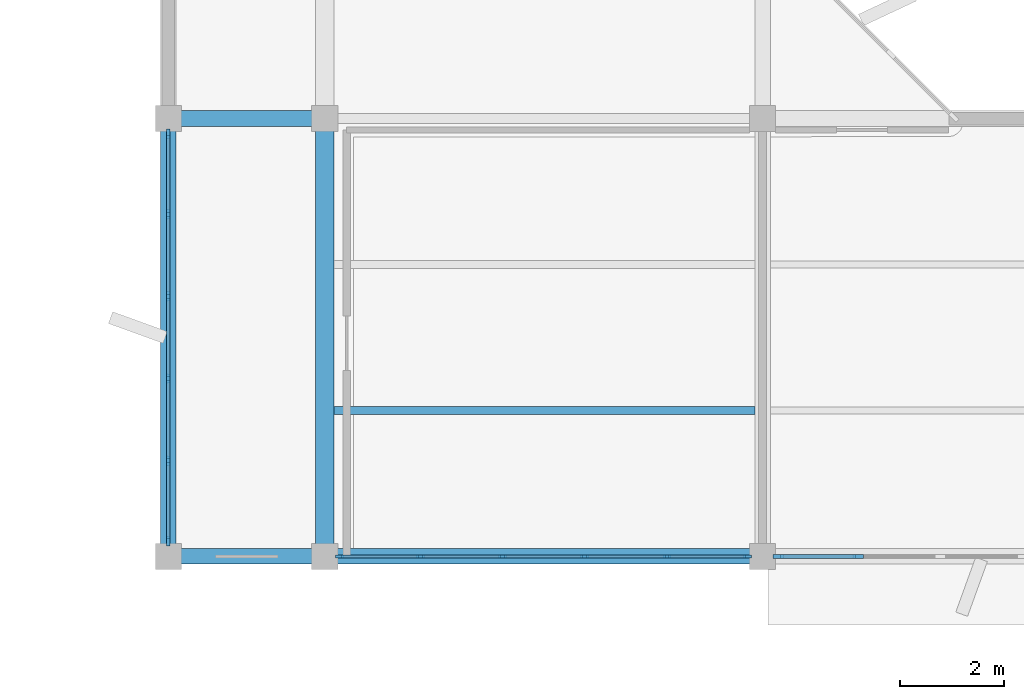
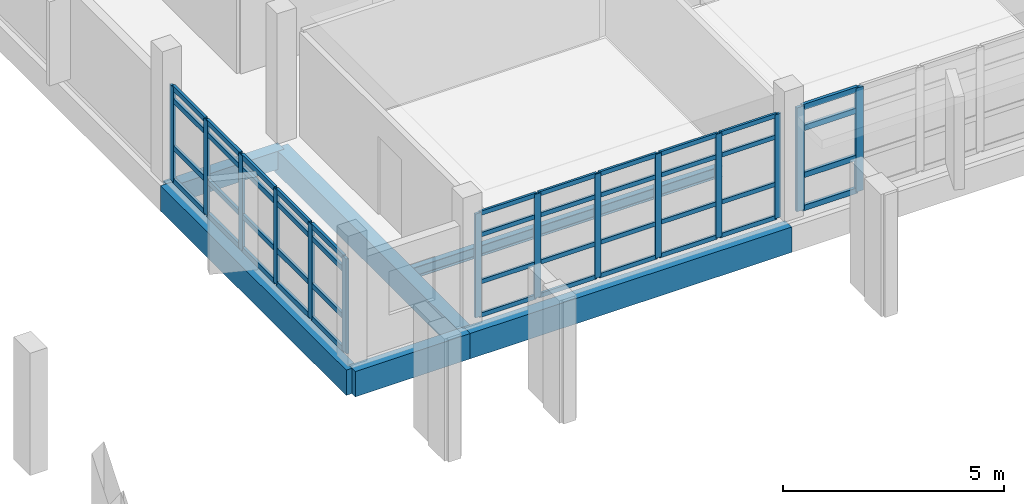
# One storey, part 15 of 104: 58 members, 6 beams, 3 elements without a shape of their own.
"""IFC4 building model written with IfcOpenShell, lengths in metres."""

from ifc_helpers import new_model, si_unit, direction, frame, origin, origin_2d, place, context, subcontext, project, spatial, rectangle, i_section, extrude, material, material_profile, profile_set, type_object, element, aggregate, save


model = new_model("IFC4")

# Units and contexts
model_context = context("Model", 3, precision=1e-05, world=origin(), true_north=direction((0.0, 1.0)))
body_context = subcontext(model_context, "Body", "Model", "MODEL_VIEW")
ifc_project = project(units=[si_unit("LENGTHUNIT", "METRE"), si_unit("AREAUNIT", "SQUARE_METRE"), si_unit("VOLUMEUNIT", "CUBIC_METRE"), si_unit("PLANEANGLEUNIT", "RADIAN"), si_unit("MASSUNIT", "GRAM", prefix="KILO")], contexts=[model_context])

# Site, building, storey
site_placement = place(None, origin())
site = spatial("IfcSite", under=ifc_project, at=site_placement, CompositionType="ELEMENT")
building_placement = place(site_placement, origin())
building = spatial("IfcBuilding", under=site, at=building_placement, Name="Vanh Quang Courtyard School", CompositionType="ELEMENT")
storey_placement = place(building_placement, frame((0.0, 0.0, 4.199951171875)))
storey = spatial("IfcBuildingStorey", under=building, at=storey_placement, Name="L01", CompositionType="ELEMENT", Elevation=4.199951171875)

# Beams
ifc_material_1 = material(Name="Concrete C35/45", Category="concrete")
ifc_material_profile_1 = material_profile(ifc_material_1, rectangle(XDim=0.300048828125, YDim=0.5, at=origin_2d()), Name="RC-BM 300x500")
ifc_profile_set_1 = profile_set([ifc_material_profile_1], Name="Concrete C35/45")
beam_type_1 = type_object("IfcBeamType", Name="BM-RC-300x500", PredefinedType="BEAM", material=ifc_profile_set_1)
beam_1_placement = place(storey_placement, frame((74.39990234375, 12.60009765625, -0.530029296875), z_axis=(1.0, 0.0, 0.0), x_axis=(0.0, 1.0, 0.0)))
element("IfcBeam", 1, at=beam_1_placement, inside=storey, type_object=beam_type_1, Name="Beam B-08 (L01)", PredefinedType="BEAM", context=body_context, shape_type="SweptSolid", body=[
    extrude(rectangle(XDim=0.300048828125, YDim=0.5, at=origin_2d()), origin(), (0.0, 0.0, 1.0), 3.0),
])
ifc_material_profile_2 = material_profile(ifc_material_1, rectangle(XDim=0.35009765625, YDim=0.64990234375, at=origin_2d()), Name="RC-BM 350x650")
ifc_profile_set_2 = profile_set([ifc_material_profile_2], Name="Concrete C35/45")
beam_type_2 = type_object("IfcBeamType", Name="BM-RC-350x650", PredefinedType="BEAM", material=ifc_profile_set_2)
beam_2_placement = place(storey_placement, frame((77.39990234375, 4.199951171875, -0.60498046875), z_axis=(0.0, 1.0, 0.0), x_axis=(-1.0, 0.0, 0.0)))
element("IfcBeam", 2, at=beam_2_placement, inside=storey, type_object=beam_type_2, Name="Beam B-05 (L01)", PredefinedType="BEAM", context=body_context, shape_type="SweptSolid", body=[
    extrude(rectangle(XDim=0.35009765625, YDim=0.64990234375, at=origin_2d()), origin(), (0.0, 0.0, 1.0), 8.400146484375),
])
ifc_material_profile_3 = material_profile(ifc_material_1, rectangle(XDim=0.300048828125, YDim=0.699951171875, at=origin_2d()), Name="RC-SP 300x700")
ifc_profile_set_3 = profile_set([ifc_material_profile_3], Name="Concrete C35/45")
beam_type_3 = type_object("IfcBeamType", Name="BM-SP-300x700", PredefinedType="SPANDREL", material=ifc_profile_set_3)
beam_3_placement = place(storey_placement, frame((74.39990234375, 4.199951171875, -0.6298828125), z_axis=(1.0, 0.0, 0.0), x_axis=(0.0, 1.0, 0.0)))
element("IfcBeam", 3, at=beam_3_placement, inside=storey, type_object=beam_type_3, Name="Beam BS-01 (L01)", PredefinedType="SPANDREL", context=body_context, shape_type="SweptSolid", body=[
    extrude(rectangle(XDim=0.300048828125, YDim=0.699951171875, at=origin_2d()), origin(), (0.0, 0.0, 1.0), 3.0),
])
for number, where, z_axis, x_axis, name in (
    (4, (77.39990234375, 4.199951171875, -0.6298828125), (1.0, 0.0, 0.0), (0.0, 1.0, 0.0), "Beam BS-01 (L01)"),
    (5, (74.39990234375, 4.199951171875, -0.6298828125), (0.0, 1.0, 0.0), (-1.0, 0.0, 0.0), "Beam BS-01 (L01)"),
):
    element("IfcBeam", number, at=place(storey_placement, frame(where, z_axis=z_axis, x_axis=x_axis)), inside=storey, type_object=beam_type_3, Name=name, PredefinedType="SPANDREL", context=body_context, shape_type="SweptSolid", body=[
        extrude(rectangle(XDim=0.300048828125, YDim=0.699951171875, at=origin_2d()), origin(), (0.0, 0.0, 1.0), 8.400146484375),
    ])

# Curtain wall, members
ifc_material_2 = material(Name="Thermally broken aluminium unitised curtain wall", Category="aluminium")
curtain_wall_type_1 = type_object("IfcCurtainWallType", Name="CW-SYS-29", PredefinedType="NOTDEFINED", material=ifc_material_2)
curtain_wall_1_placement = place(storey_placement, origin())
curtain_wall_1 = element("IfcCurtainWall", 6, at=curtain_wall_1_placement, inside=storey, type_object=curtain_wall_type_1, Name="Curtain Wall CW-29 (L01)", PredefinedType="NOTDEFINED")
ifc_material_3 = material(Name="Anodised aluminium 6063-T6", Category="aluminium")
ifc_material_profile_4 = material_profile(ifc_material_3, rectangle(XDim=0.06005859375, YDim=0.159912109375, at=origin_2d()), Name="ALU-MUL 60x160")
ifc_profile_set_4 = profile_set([ifc_material_profile_4], Name="Anodised aluminium 6063-T6")
member_type_1 = type_object("IfcMemberType", Name="CW-MUL-60x160", PredefinedType="MULLION", material=ifc_profile_set_4)
member_1_placement = place(storey_placement, frame((85.511962890625, 4.199951171875, 0.0), z_axis=(0.0, 0.0, 1.0), x_axis=(0.0, -1.0, 0.0)))
member_1 = element("IfcMember", 7, at=member_1_placement, type_object=member_type_1, Name="CW-29 mullion 1", PredefinedType="MULLION", context=body_context, shape_type="SweptSolid", body=[
    extrude(rectangle(XDim=0.06005859375, YDim=0.159912109375, at=origin_2d()), origin(), (0.0, 0.0, 1.0), 2.8701171875),
])
member_2_placement = place(storey_placement, frame((83.965087890625, 4.199951171875, 0.0), z_axis=(0.0, 0.0, 1.0), x_axis=(0.0, -1.0, 0.0)))
member_2 = element("IfcMember", 8, at=member_2_placement, type_object=member_type_1, Name="CW-29 mullion 2", PredefinedType="MULLION", context=body_context, shape_type="SweptSolid", body=[
    extrude(rectangle(XDim=0.06005859375, YDim=0.159912109375, at=origin_2d()), origin(), (0.0, 0.0, 1.0), 2.8701171875),
])
member_3_placement = place(storey_placement, frame((82.388427734375, 4.199951171875, 0.0), z_axis=(0.0, 0.0, 1.0), x_axis=(0.0, -1.0, 0.0)))
member_3 = element("IfcMember", 9, at=member_3_placement, type_object=member_type_1, Name="CW-29 mullion 3", PredefinedType="MULLION", context=body_context, shape_type="SweptSolid", body=[
    extrude(rectangle(XDim=0.06005859375, YDim=0.159912109375, at=origin_2d()), origin(), (0.0, 0.0, 1.0), 2.8701171875),
])
member_4_placement = place(storey_placement, frame((80.8115234375, 4.199951171875, 0.0), z_axis=(0.0, 0.0, 1.0), x_axis=(0.0, -1.0, 0.0)))
member_4 = element("IfcMember", 10, at=member_4_placement, type_object=member_type_1, Name="CW-29 mullion 4", PredefinedType="MULLION", context=body_context, shape_type="SweptSolid", body=[
    extrude(rectangle(XDim=0.06005859375, YDim=0.159912109375, at=origin_2d()), origin(), (0.0, 0.0, 1.0), 2.8701171875),
])
member_5_placement = place(storey_placement, frame((79.23486328125, 4.199951171875, 0.0), z_axis=(0.0, 0.0, 1.0), x_axis=(0.0, -1.0, 0.0)))
member_5 = element("IfcMember", 11, at=member_5_placement, type_object=member_type_1, Name="CW-29 mullion 5", PredefinedType="MULLION", context=body_context, shape_type="SweptSolid", body=[
    extrude(rectangle(XDim=0.06005859375, YDim=0.159912109375, at=origin_2d()), origin(), (0.0, 0.0, 1.0), 2.8701171875),
])
member_6_placement = place(storey_placement, frame((77.68798828125, 4.199951171875, 0.0), z_axis=(0.0, 0.0, 1.0), x_axis=(0.0, -1.0, 0.0)))
member_6 = element("IfcMember", 12, at=member_6_placement, type_object=member_type_1, Name="CW-29 mullion 6", PredefinedType="MULLION", context=body_context, shape_type="SweptSolid", body=[
    extrude(rectangle(XDim=0.06005859375, YDim=0.159912109375, at=origin_2d()), origin(), (0.0, 0.0, 1.0), 2.8701171875),
])

curtain_wall_type_2 = type_object("IfcCurtainWallType", Name="CW-SYS-19", PredefinedType="NOTDEFINED", material=ifc_material_2)
curtain_wall_2_placement = place(storey_placement, origin())
curtain_wall_2 = element("IfcCurtainWall", 13, at=curtain_wall_2_placement, inside=storey, type_object=curtain_wall_type_2, Name="Curtain Wall CW-19 (L01)", PredefinedType="NOTDEFINED")
ifc_material_profile_5 = material_profile(ifc_material_3, rectangle(XDim=0.070068359375, YDim=0.179931640625, at=origin_2d()), Name="ALU-MUL 70x180")
ifc_profile_set_5 = profile_set([ifc_material_profile_5], Name="Anodised aluminium 6063-T6")
member_type_2 = type_object("IfcMemberType", Name="CW-MUL-70x180", PredefinedType="MULLION", material=ifc_profile_set_5)
member_7_placement = place(storey_placement, frame((74.39990234375, 4.492919921875, 0.0), z_axis=(0.0, 0.0, 1.0), x_axis=(-1.0, 0.0, 0.0)))
member_7 = element("IfcMember", 14, at=member_7_placement, type_object=member_type_2, Name="CW-19 mullion 1", PredefinedType="MULLION", context=body_context, shape_type="SweptSolid", body=[
    extrude(rectangle(XDim=0.070068359375, YDim=0.179931640625, at=origin_2d()), origin(), (0.0, 0.0, 1.0), 2.6201171875),
])
member_8_placement = place(storey_placement, frame((74.39990234375, 6.034912109375, 0.0), z_axis=(0.0, 0.0, 1.0), x_axis=(-1.0, 0.0, 0.0)))
member_8 = element("IfcMember", 15, at=member_8_placement, type_object=member_type_2, Name="CW-19 mullion 2", PredefinedType="MULLION", context=body_context, shape_type="SweptSolid", body=[
    extrude(rectangle(XDim=0.070068359375, YDim=0.179931640625, at=origin_2d()), origin(), (0.0, 0.0, 1.0), 2.6201171875),
])
member_9_placement = place(storey_placement, frame((74.39990234375, 7.611572265625, 0.0), z_axis=(0.0, 0.0, 1.0), x_axis=(-1.0, 0.0, 0.0)))
member_9 = element("IfcMember", 16, at=member_9_placement, type_object=member_type_2, Name="CW-19 mullion 3", PredefinedType="MULLION", context=body_context, shape_type="SweptSolid", body=[
    extrude(rectangle(XDim=0.070068359375, YDim=0.179931640625, at=origin_2d()), origin(), (0.0, 0.0, 1.0), 2.6201171875),
])
member_10_placement = place(storey_placement, frame((74.39990234375, 9.1884765625, 0.0), z_axis=(0.0, 0.0, 1.0), x_axis=(-1.0, 0.0, 0.0)))
member_10 = element("IfcMember", 17, at=member_10_placement, type_object=member_type_2, Name="CW-19 mullion 4", PredefinedType="MULLION", context=body_context, shape_type="SweptSolid", body=[
    extrude(rectangle(XDim=0.070068359375, YDim=0.179931640625, at=origin_2d()), origin(), (0.0, 0.0, 1.0), 2.6201171875),
])
member_11_placement = place(storey_placement, frame((74.39990234375, 10.76513671875, 0.0), z_axis=(0.0, 0.0, 1.0), x_axis=(-1.0, 0.0, 0.0)))
member_11 = element("IfcMember", 18, at=member_11_placement, type_object=member_type_2, Name="CW-19 mullion 5", PredefinedType="MULLION", context=body_context, shape_type="SweptSolid", body=[
    extrude(rectangle(XDim=0.070068359375, YDim=0.179931640625, at=origin_2d()), origin(), (0.0, 0.0, 1.0), 2.6201171875),
])
member_12_placement = place(storey_placement, frame((74.39990234375, 12.306884765625, 0.0), z_axis=(0.0, 0.0, 1.0), x_axis=(-1.0, 0.0, 0.0)))
member_12 = element("IfcMember", 19, at=member_12_placement, type_object=member_type_2, Name="CW-19 mullion 6", PredefinedType="MULLION", context=body_context, shape_type="SweptSolid", body=[
    extrude(rectangle(XDim=0.070068359375, YDim=0.179931640625, at=origin_2d()), origin(), (0.0, 0.0, 1.0), 2.6201171875),
])

curtain_wall_3_placement = place(storey_placement, origin())
curtain_wall_3 = element("IfcCurtainWall", 20, at=curtain_wall_3_placement, inside=storey, type_object=curtain_wall_type_1, Name="Curtain Wall CW-29 (L01)", PredefinedType="NOTDEFINED")
ifc_material_profile_6 = material_profile(ifc_material_3, rectangle(XDim=0.080078125, YDim=0.199951171875, at=origin_2d()), Name="ALU-MUL 80x200")
ifc_profile_set_6 = profile_set([ifc_material_profile_6], Name="Anodised aluminium 6063-T6")
member_type_3 = type_object("IfcMemberType", Name="CW-MUL-80x200", PredefinedType="MULLION", material=ifc_profile_set_6)
member_13_placement = place(storey_placement, frame((87.634765625, 4.199951171875, 0.0), z_axis=(0.0, 0.0, 1.0), x_axis=(0.0, -1.0, 0.0)))
member_13 = element("IfcMember", 21, at=member_13_placement, type_object=member_type_3, Name="CW-29 mullion 5", PredefinedType="MULLION", context=body_context, shape_type="SweptSolid", body=[
    extrude(rectangle(XDim=0.080078125, YDim=0.199951171875, at=origin_2d()), origin(), (0.0, 0.0, 1.0), 2.8701171875),
])
member_14_placement = place(storey_placement, frame((86.097900390625, 4.199951171875, 0.0), z_axis=(0.0, 0.0, 1.0), x_axis=(0.0, -1.0, 0.0)))
member_14 = element("IfcMember", 22, at=member_14_placement, type_object=member_type_3, Name="CW-29 mullion 6", PredefinedType="MULLION", context=body_context, shape_type="SweptSolid", body=[
    extrude(rectangle(XDim=0.080078125, YDim=0.199951171875, at=origin_2d()), origin(), (0.0, 0.0, 1.0), 2.8701171875),
])

# Member
ifc_material_profile_7 = material_profile(ifc_material_3, rectangle(XDim=0.06005859375, YDim=0.1201171875, at=origin_2d()), Name="ALU-TRN 60x120")
ifc_profile_set_7 = profile_set([ifc_material_profile_7], Name="Anodised aluminium 6063-T6")
member_type_4 = type_object("IfcMemberType", Name="CW-TRN-60x120", PredefinedType="USERDEFINED", material=ifc_profile_set_7)
member_15_placement = place(storey_placement, frame((85.48193359375, 4.199951171875, 0.030029296875), z_axis=(-1.0, 0.0, 0.0), x_axis=(0.0, -1.0, 0.0)))
member_15 = element("IfcMember", 23, at=member_15_placement, type_object=member_type_4, Name="CW-29 transom 1.1", ObjectType="TRANSOM", PredefinedType="USERDEFINED", context=body_context, shape_type="SweptSolid", body=[
    extrude(rectangle(XDim=0.06005859375, YDim=0.1201171875, at=origin_2d()), origin(), (0.0, 0.0, 1.0), 1.48681640625),
])

member_16_placement = place(storey_placement, frame((85.48193359375, 4.199951171875, 0.949951171875), z_axis=(-1.0, 0.0, 0.0), x_axis=(0.0, -1.0, 0.0)))
member_16 = element("IfcMember", 24, at=member_16_placement, type_object=member_type_4, Name="CW-29 transom 1.2", ObjectType="TRANSOM", PredefinedType="USERDEFINED", context=body_context, shape_type="SweptSolid", body=[
    extrude(rectangle(XDim=0.06005859375, YDim=0.1201171875, at=origin_2d()), origin(), (0.0, 0.0, 1.0), 1.48681640625),
])

member_17_placement = place(storey_placement, frame((85.48193359375, 4.199951171875, 2.25), z_axis=(-1.0, 0.0, 0.0), x_axis=(0.0, -1.0, 0.0)))
member_17 = element("IfcMember", 25, at=member_17_placement, type_object=member_type_4, Name="CW-29 transom 1.3", ObjectType="TRANSOM", PredefinedType="USERDEFINED", context=body_context, shape_type="SweptSolid", body=[
    extrude(rectangle(XDim=0.06005859375, YDim=0.1201171875, at=origin_2d()), origin(), (0.0, 0.0, 1.0), 1.48681640625),
])

member_18_placement = place(storey_placement, frame((85.48193359375, 4.199951171875, 2.840087890625), z_axis=(-1.0, 0.0, 0.0), x_axis=(0.0, -1.0, 0.0)))
member_18 = element("IfcMember", 26, at=member_18_placement, type_object=member_type_4, Name="CW-29 transom 1.4", ObjectType="TRANSOM", PredefinedType="USERDEFINED", context=body_context, shape_type="SweptSolid", body=[
    extrude(rectangle(XDim=0.06005859375, YDim=0.1201171875, at=origin_2d()), origin(), (0.0, 0.0, 1.0), 1.48681640625),
])

member_19_placement = place(storey_placement, frame((83.935302734375, 4.199951171875, 0.030029296875), z_axis=(-1.0, 0.0, 0.0), x_axis=(0.0, -1.0, 0.0)))
member_19 = element("IfcMember", 27, at=member_19_placement, type_object=member_type_4, Name="CW-29 transom 2.1", ObjectType="TRANSOM", PredefinedType="USERDEFINED", context=body_context, shape_type="SweptSolid", body=[
    extrude(rectangle(XDim=0.06005859375, YDim=0.1201171875, at=origin_2d()), origin(), (0.0, 0.0, 1.0), 1.516845703125),
])

member_20_placement = place(storey_placement, frame((83.935302734375, 4.199951171875, 0.949951171875), z_axis=(-1.0, 0.0, 0.0), x_axis=(0.0, -1.0, 0.0)))
member_20 = element("IfcMember", 28, at=member_20_placement, type_object=member_type_4, Name="CW-29 transom 2.2", ObjectType="TRANSOM", PredefinedType="USERDEFINED", context=body_context, shape_type="SweptSolid", body=[
    extrude(rectangle(XDim=0.06005859375, YDim=0.1201171875, at=origin_2d()), origin(), (0.0, 0.0, 1.0), 1.516845703125),
])

member_21_placement = place(storey_placement, frame((83.935302734375, 4.199951171875, 2.25), z_axis=(-1.0, 0.0, 0.0), x_axis=(0.0, -1.0, 0.0)))
member_21 = element("IfcMember", 29, at=member_21_placement, type_object=member_type_4, Name="CW-29 transom 2.3", ObjectType="TRANSOM", PredefinedType="USERDEFINED", context=body_context, shape_type="SweptSolid", body=[
    extrude(rectangle(XDim=0.06005859375, YDim=0.1201171875, at=origin_2d()), origin(), (0.0, 0.0, 1.0), 1.516845703125),
])

member_22_placement = place(storey_placement, frame((83.935302734375, 4.199951171875, 2.840087890625), z_axis=(-1.0, 0.0, 0.0), x_axis=(0.0, -1.0, 0.0)))
member_22 = element("IfcMember", 30, at=member_22_placement, type_object=member_type_4, Name="CW-29 transom 2.4", ObjectType="TRANSOM", PredefinedType="USERDEFINED", context=body_context, shape_type="SweptSolid", body=[
    extrude(rectangle(XDim=0.06005859375, YDim=0.1201171875, at=origin_2d()), origin(), (0.0, 0.0, 1.0), 1.516845703125),
])

member_23_placement = place(storey_placement, frame((82.3583984375, 4.199951171875, 0.030029296875), z_axis=(-1.0, 0.0, 0.0), x_axis=(0.0, -1.0, 0.0)))
member_23 = element("IfcMember", 31, at=member_23_placement, type_object=member_type_4, Name="CW-29 transom 3.1", ObjectType="TRANSOM", PredefinedType="USERDEFINED", context=body_context, shape_type="SweptSolid", body=[
    extrude(rectangle(XDim=0.06005859375, YDim=0.1201171875, at=origin_2d()), origin(), (0.0, 0.0, 1.0), 1.516845703125),
])

member_24_placement = place(storey_placement, frame((82.3583984375, 4.199951171875, 0.949951171875), z_axis=(-1.0, 0.0, 0.0), x_axis=(0.0, -1.0, 0.0)))
member_24 = element("IfcMember", 32, at=member_24_placement, type_object=member_type_4, Name="CW-29 transom 3.2", ObjectType="TRANSOM", PredefinedType="USERDEFINED", context=body_context, shape_type="SweptSolid", body=[
    extrude(rectangle(XDim=0.06005859375, YDim=0.1201171875, at=origin_2d()), origin(), (0.0, 0.0, 1.0), 1.516845703125),
])

member_25_placement = place(storey_placement, frame((82.3583984375, 4.199951171875, 2.25), z_axis=(-1.0, 0.0, 0.0), x_axis=(0.0, -1.0, 0.0)))
member_25 = element("IfcMember", 33, at=member_25_placement, type_object=member_type_4, Name="CW-29 transom 3.3", ObjectType="TRANSOM", PredefinedType="USERDEFINED", context=body_context, shape_type="SweptSolid", body=[
    extrude(rectangle(XDim=0.06005859375, YDim=0.1201171875, at=origin_2d()), origin(), (0.0, 0.0, 1.0), 1.516845703125),
])

member_26_placement = place(storey_placement, frame((82.3583984375, 4.199951171875, 2.840087890625), z_axis=(-1.0, 0.0, 0.0), x_axis=(0.0, -1.0, 0.0)))
member_26 = element("IfcMember", 34, at=member_26_placement, type_object=member_type_4, Name="CW-29 transom 3.4", ObjectType="TRANSOM", PredefinedType="USERDEFINED", context=body_context, shape_type="SweptSolid", body=[
    extrude(rectangle(XDim=0.06005859375, YDim=0.1201171875, at=origin_2d()), origin(), (0.0, 0.0, 1.0), 1.516845703125),
])

member_27_placement = place(storey_placement, frame((80.781494140625, 4.199951171875, 0.030029296875), z_axis=(-1.0, 0.0, 0.0), x_axis=(0.0, -1.0, 0.0)))
member_27 = element("IfcMember", 35, at=member_27_placement, type_object=member_type_4, Name="CW-29 transom 4.1", ObjectType="TRANSOM", PredefinedType="USERDEFINED", context=body_context, shape_type="SweptSolid", body=[
    extrude(rectangle(XDim=0.06005859375, YDim=0.1201171875, at=origin_2d()), origin(), (0.0, 0.0, 1.0), 1.5166015625),
])

member_28_placement = place(storey_placement, frame((80.781494140625, 4.199951171875, 0.949951171875), z_axis=(-1.0, 0.0, 0.0), x_axis=(0.0, -1.0, 0.0)))
member_28 = element("IfcMember", 36, at=member_28_placement, type_object=member_type_4, Name="CW-29 transom 4.2", ObjectType="TRANSOM", PredefinedType="USERDEFINED", context=body_context, shape_type="SweptSolid", body=[
    extrude(rectangle(XDim=0.06005859375, YDim=0.1201171875, at=origin_2d()), origin(), (0.0, 0.0, 1.0), 1.5166015625),
])

member_29_placement = place(storey_placement, frame((80.781494140625, 4.199951171875, 2.25), z_axis=(-1.0, 0.0, 0.0), x_axis=(0.0, -1.0, 0.0)))
member_29 = element("IfcMember", 37, at=member_29_placement, type_object=member_type_4, Name="CW-29 transom 4.3", ObjectType="TRANSOM", PredefinedType="USERDEFINED", context=body_context, shape_type="SweptSolid", body=[
    extrude(rectangle(XDim=0.06005859375, YDim=0.1201171875, at=origin_2d()), origin(), (0.0, 0.0, 1.0), 1.5166015625),
])

member_30_placement = place(storey_placement, frame((80.781494140625, 4.199951171875, 2.840087890625), z_axis=(-1.0, 0.0, 0.0), x_axis=(0.0, -1.0, 0.0)))
member_30 = element("IfcMember", 38, at=member_30_placement, type_object=member_type_4, Name="CW-29 transom 4.4", ObjectType="TRANSOM", PredefinedType="USERDEFINED", context=body_context, shape_type="SweptSolid", body=[
    extrude(rectangle(XDim=0.06005859375, YDim=0.1201171875, at=origin_2d()), origin(), (0.0, 0.0, 1.0), 1.5166015625),
])

member_31_placement = place(storey_placement, frame((79.204833984375, 4.199951171875, 0.030029296875), z_axis=(-1.0, 0.0, 0.0), x_axis=(0.0, -1.0, 0.0)))
member_31 = element("IfcMember", 39, at=member_31_placement, type_object=member_type_4, Name="CW-29 transom 5.1", ObjectType="TRANSOM", PredefinedType="USERDEFINED", context=body_context, shape_type="SweptSolid", body=[
    extrude(rectangle(XDim=0.06005859375, YDim=0.1201171875, at=origin_2d()), origin(), (0.0, 0.0, 1.0), 1.48681640625),
])

member_32_placement = place(storey_placement, frame((79.204833984375, 4.199951171875, 0.949951171875), z_axis=(-1.0, 0.0, 0.0), x_axis=(0.0, -1.0, 0.0)))
member_32 = element("IfcMember", 40, at=member_32_placement, type_object=member_type_4, Name="CW-29 transom 5.2", ObjectType="TRANSOM", PredefinedType="USERDEFINED", context=body_context, shape_type="SweptSolid", body=[
    extrude(rectangle(XDim=0.06005859375, YDim=0.1201171875, at=origin_2d()), origin(), (0.0, 0.0, 1.0), 1.48681640625),
])

member_33_placement = place(storey_placement, frame((79.204833984375, 4.199951171875, 2.25), z_axis=(-1.0, 0.0, 0.0), x_axis=(0.0, -1.0, 0.0)))
member_33 = element("IfcMember", 41, at=member_33_placement, type_object=member_type_4, Name="CW-29 transom 5.3", ObjectType="TRANSOM", PredefinedType="USERDEFINED", context=body_context, shape_type="SweptSolid", body=[
    extrude(rectangle(XDim=0.06005859375, YDim=0.1201171875, at=origin_2d()), origin(), (0.0, 0.0, 1.0), 1.48681640625),
])

member_34_placement = place(storey_placement, frame((79.204833984375, 4.199951171875, 2.840087890625), z_axis=(-1.0, 0.0, 0.0), x_axis=(0.0, -1.0, 0.0)))
member_34 = element("IfcMember", 42, at=member_34_placement, type_object=member_type_4, Name="CW-29 transom 5.4", ObjectType="TRANSOM", PredefinedType="USERDEFINED", context=body_context, shape_type="SweptSolid", body=[
    extrude(rectangle(XDim=0.06005859375, YDim=0.1201171875, at=origin_2d()), origin(), (0.0, 0.0, 1.0), 1.48681640625),
])

aggregate(curtain_wall_1, [member_1, member_2, member_3, member_4, member_5, member_6, member_15, member_16, member_17, member_18, member_19, member_20, member_21, member_22, member_23, member_24, member_25, member_26, member_27, member_28, member_29, member_30, member_31, member_32, member_33, member_34])

ifc_material_profile_8 = material_profile(ifc_material_3, rectangle(XDim=0.070068359375, YDim=0.139892578125, at=origin_2d()), Name="ALU-TRN 70x140")
ifc_profile_set_8 = profile_set([ifc_material_profile_8], Name="Anodised aluminium 6063-T6")
member_type_5 = type_object("IfcMemberType", Name="CW-TRN-70x140", PredefinedType="USERDEFINED", material=ifc_profile_set_8)
member_35_placement = place(storey_placement, frame((74.39990234375, 4.528076171875, 0.03515625), z_axis=(0.0, 1.0, 0.0), x_axis=(-1.0, 0.0, 0.0)))
member_35 = element("IfcMember", 43, at=member_35_placement, type_object=member_type_5, Name="CW-19 transom 1.1", ObjectType="TRANSOM", PredefinedType="USERDEFINED", context=body_context, shape_type="SweptSolid", body=[
    extrude(rectangle(XDim=0.070068359375, YDim=0.139892578125, at=origin_2d()), origin(), (0.0, 0.0, 1.0), 1.4716796875),
])

member_36_placement = place(storey_placement, frame((74.39990234375, 4.528076171875, 0.949951171875), z_axis=(0.0, 1.0, 0.0), x_axis=(-1.0, 0.0, 0.0)))
member_36 = element("IfcMember", 44, at=member_36_placement, type_object=member_type_5, Name="CW-19 transom 1.2", ObjectType="TRANSOM", PredefinedType="USERDEFINED", context=body_context, shape_type="SweptSolid", body=[
    extrude(rectangle(XDim=0.070068359375, YDim=0.139892578125, at=origin_2d()), origin(), (0.0, 0.0, 1.0), 1.4716796875),
])

member_37_placement = place(storey_placement, frame((74.39990234375, 4.528076171875, 2.25), z_axis=(0.0, 1.0, 0.0), x_axis=(-1.0, 0.0, 0.0)))
member_37 = element("IfcMember", 45, at=member_37_placement, type_object=member_type_5, Name="CW-19 transom 1.3", ObjectType="TRANSOM", PredefinedType="USERDEFINED", context=body_context, shape_type="SweptSolid", body=[
    extrude(rectangle(XDim=0.070068359375, YDim=0.139892578125, at=origin_2d()), origin(), (0.0, 0.0, 1.0), 1.4716796875),
])

member_38_placement = place(storey_placement, frame((74.39990234375, 4.528076171875, 2.5849609375), z_axis=(0.0, 1.0, 0.0), x_axis=(-1.0, 0.0, 0.0)))
member_38 = element("IfcMember", 46, at=member_38_placement, type_object=member_type_5, Name="CW-19 transom 1.4", ObjectType="TRANSOM", PredefinedType="USERDEFINED", context=body_context, shape_type="SweptSolid", body=[
    extrude(rectangle(XDim=0.070068359375, YDim=0.139892578125, at=origin_2d()), origin(), (0.0, 0.0, 1.0), 1.4716796875),
])

member_39_placement = place(storey_placement, frame((74.39990234375, 6.06982421875, 0.03515625), z_axis=(0.0, 1.0, 0.0), x_axis=(-1.0, 0.0, 0.0)))
member_39 = element("IfcMember", 47, at=member_39_placement, type_object=member_type_5, Name="CW-19 transom 2.1", ObjectType="TRANSOM", PredefinedType="USERDEFINED", context=body_context, shape_type="SweptSolid", body=[
    extrude(rectangle(XDim=0.070068359375, YDim=0.139892578125, at=origin_2d()), origin(), (0.0, 0.0, 1.0), 1.5068359375),
])

member_40_placement = place(storey_placement, frame((74.39990234375, 6.06982421875, 0.949951171875), z_axis=(0.0, 1.0, 0.0), x_axis=(-1.0, 0.0, 0.0)))
member_40 = element("IfcMember", 48, at=member_40_placement, type_object=member_type_5, Name="CW-19 transom 2.2", ObjectType="TRANSOM", PredefinedType="USERDEFINED", context=body_context, shape_type="SweptSolid", body=[
    extrude(rectangle(XDim=0.070068359375, YDim=0.139892578125, at=origin_2d()), origin(), (0.0, 0.0, 1.0), 1.5068359375),
])

member_41_placement = place(storey_placement, frame((74.39990234375, 6.06982421875, 2.25), z_axis=(0.0, 1.0, 0.0), x_axis=(-1.0, 0.0, 0.0)))
member_41 = element("IfcMember", 49, at=member_41_placement, type_object=member_type_5, Name="CW-19 transom 2.3", ObjectType="TRANSOM", PredefinedType="USERDEFINED", context=body_context, shape_type="SweptSolid", body=[
    extrude(rectangle(XDim=0.070068359375, YDim=0.139892578125, at=origin_2d()), origin(), (0.0, 0.0, 1.0), 1.5068359375),
])

member_42_placement = place(storey_placement, frame((74.39990234375, 6.06982421875, 2.5849609375), z_axis=(0.0, 1.0, 0.0), x_axis=(-1.0, 0.0, 0.0)))
member_42 = element("IfcMember", 50, at=member_42_placement, type_object=member_type_5, Name="CW-19 transom 2.4", ObjectType="TRANSOM", PredefinedType="USERDEFINED", context=body_context, shape_type="SweptSolid", body=[
    extrude(rectangle(XDim=0.070068359375, YDim=0.139892578125, at=origin_2d()), origin(), (0.0, 0.0, 1.0), 1.5068359375),
])

member_43_placement = place(storey_placement, frame((74.39990234375, 7.646484375, 0.03515625), z_axis=(0.0, 1.0, 0.0), x_axis=(-1.0, 0.0, 0.0)))
member_43 = element("IfcMember", 51, at=member_43_placement, type_object=member_type_5, Name="CW-19 transom 3.1", ObjectType="TRANSOM", PredefinedType="USERDEFINED", context=body_context, shape_type="SweptSolid", body=[
    extrude(rectangle(XDim=0.070068359375, YDim=0.139892578125, at=origin_2d()), origin(), (0.0, 0.0, 1.0), 1.5068359375),
])

member_44_placement = place(storey_placement, frame((74.39990234375, 7.646484375, 0.949951171875), z_axis=(0.0, 1.0, 0.0), x_axis=(-1.0, 0.0, 0.0)))
member_44 = element("IfcMember", 52, at=member_44_placement, type_object=member_type_5, Name="CW-19 transom 3.2", ObjectType="TRANSOM", PredefinedType="USERDEFINED", context=body_context, shape_type="SweptSolid", body=[
    extrude(rectangle(XDim=0.070068359375, YDim=0.139892578125, at=origin_2d()), origin(), (0.0, 0.0, 1.0), 1.5068359375),
])

member_45_placement = place(storey_placement, frame((74.39990234375, 7.646484375, 2.25), z_axis=(0.0, 1.0, 0.0), x_axis=(-1.0, 0.0, 0.0)))
member_45 = element("IfcMember", 53, at=member_45_placement, type_object=member_type_5, Name="CW-19 transom 3.3", ObjectType="TRANSOM", PredefinedType="USERDEFINED", context=body_context, shape_type="SweptSolid", body=[
    extrude(rectangle(XDim=0.070068359375, YDim=0.139892578125, at=origin_2d()), origin(), (0.0, 0.0, 1.0), 1.5068359375),
])

member_46_placement = place(storey_placement, frame((74.39990234375, 7.646484375, 2.5849609375), z_axis=(0.0, 1.0, 0.0), x_axis=(-1.0, 0.0, 0.0)))
member_46 = element("IfcMember", 54, at=member_46_placement, type_object=member_type_5, Name="CW-19 transom 3.4", ObjectType="TRANSOM", PredefinedType="USERDEFINED", context=body_context, shape_type="SweptSolid", body=[
    extrude(rectangle(XDim=0.070068359375, YDim=0.139892578125, at=origin_2d()), origin(), (0.0, 0.0, 1.0), 1.5068359375),
])

member_47_placement = place(storey_placement, frame((74.39990234375, 9.223388671875, 0.03515625), z_axis=(0.0, 1.0, 0.0), x_axis=(-1.0, 0.0, 0.0)))
member_47 = element("IfcMember", 55, at=member_47_placement, type_object=member_type_5, Name="CW-19 transom 4.1", ObjectType="TRANSOM", PredefinedType="USERDEFINED", context=body_context, shape_type="SweptSolid", body=[
    extrude(rectangle(XDim=0.070068359375, YDim=0.139892578125, at=origin_2d()), origin(), (0.0, 0.0, 1.0), 1.5068359375),
])

member_48_placement = place(storey_placement, frame((74.39990234375, 9.223388671875, 0.949951171875), z_axis=(0.0, 1.0, 0.0), x_axis=(-1.0, 0.0, 0.0)))
member_48 = element("IfcMember", 56, at=member_48_placement, type_object=member_type_5, Name="CW-19 transom 4.2", ObjectType="TRANSOM", PredefinedType="USERDEFINED", context=body_context, shape_type="SweptSolid", body=[
    extrude(rectangle(XDim=0.070068359375, YDim=0.139892578125, at=origin_2d()), origin(), (0.0, 0.0, 1.0), 1.5068359375),
])

member_49_placement = place(storey_placement, frame((74.39990234375, 9.223388671875, 2.25), z_axis=(0.0, 1.0, 0.0), x_axis=(-1.0, 0.0, 0.0)))
member_49 = element("IfcMember", 57, at=member_49_placement, type_object=member_type_5, Name="CW-19 transom 4.3", ObjectType="TRANSOM", PredefinedType="USERDEFINED", context=body_context, shape_type="SweptSolid", body=[
    extrude(rectangle(XDim=0.070068359375, YDim=0.139892578125, at=origin_2d()), origin(), (0.0, 0.0, 1.0), 1.5068359375),
])

member_50_placement = place(storey_placement, frame((74.39990234375, 9.223388671875, 2.5849609375), z_axis=(0.0, 1.0, 0.0), x_axis=(-1.0, 0.0, 0.0)))
member_50 = element("IfcMember", 58, at=member_50_placement, type_object=member_type_5, Name="CW-19 transom 4.4", ObjectType="TRANSOM", PredefinedType="USERDEFINED", context=body_context, shape_type="SweptSolid", body=[
    extrude(rectangle(XDim=0.070068359375, YDim=0.139892578125, at=origin_2d()), origin(), (0.0, 0.0, 1.0), 1.5068359375),
])

member_51_placement = place(storey_placement, frame((74.39990234375, 10.80029296875, 0.03515625), z_axis=(0.0, 1.0, 0.0), x_axis=(-1.0, 0.0, 0.0)))
member_51 = element("IfcMember", 59, at=member_51_placement, type_object=member_type_5, Name="CW-19 transom 5.1", ObjectType="TRANSOM", PredefinedType="USERDEFINED", context=body_context, shape_type="SweptSolid", body=[
    extrude(rectangle(XDim=0.070068359375, YDim=0.139892578125, at=origin_2d()), origin(), (0.0, 0.0, 1.0), 1.4716796875),
])

member_52_placement = place(storey_placement, frame((74.39990234375, 10.80029296875, 0.949951171875), z_axis=(0.0, 1.0, 0.0), x_axis=(-1.0, 0.0, 0.0)))
member_52 = element("IfcMember", 60, at=member_52_placement, type_object=member_type_5, Name="CW-19 transom 5.2", ObjectType="TRANSOM", PredefinedType="USERDEFINED", context=body_context, shape_type="SweptSolid", body=[
    extrude(rectangle(XDim=0.070068359375, YDim=0.139892578125, at=origin_2d()), origin(), (0.0, 0.0, 1.0), 1.4716796875),
])

member_53_placement = place(storey_placement, frame((74.39990234375, 10.80029296875, 2.25), z_axis=(0.0, 1.0, 0.0), x_axis=(-1.0, 0.0, 0.0)))
member_53 = element("IfcMember", 61, at=member_53_placement, type_object=member_type_5, Name="CW-19 transom 5.3", ObjectType="TRANSOM", PredefinedType="USERDEFINED", context=body_context, shape_type="SweptSolid", body=[
    extrude(rectangle(XDim=0.070068359375, YDim=0.139892578125, at=origin_2d()), origin(), (0.0, 0.0, 1.0), 1.4716796875),
])

member_54_placement = place(storey_placement, frame((74.39990234375, 10.80029296875, 2.5849609375), z_axis=(0.0, 1.0, 0.0), x_axis=(-1.0, 0.0, 0.0)))
member_54 = element("IfcMember", 62, at=member_54_placement, type_object=member_type_5, Name="CW-19 transom 5.4", ObjectType="TRANSOM", PredefinedType="USERDEFINED", context=body_context, shape_type="SweptSolid", body=[
    extrude(rectangle(XDim=0.070068359375, YDim=0.139892578125, at=origin_2d()), origin(), (0.0, 0.0, 1.0), 1.4716796875),
])

aggregate(curtain_wall_2, [member_7, member_8, member_9, member_10, member_11, member_12, member_35, member_36, member_37, member_38, member_39, member_40, member_41, member_42, member_43, member_44, member_45, member_46, member_47, member_48, member_49, member_50, member_51, member_52, member_53, member_54])

ifc_material_profile_9 = material_profile(ifc_material_3, rectangle(XDim=0.080078125, YDim=0.14990234375, at=origin_2d()), Name="ALU-TRN 80x150")
ifc_profile_set_9 = profile_set([ifc_material_profile_9], Name="Anodised aluminium 6063-T6")
member_type_6 = type_object("IfcMemberType", Name="CW-TRN-80x150", PredefinedType="USERDEFINED", material=ifc_profile_set_9)
member_55_placement = place(storey_placement, frame((87.5947265625, 4.199951171875, 0.0400390625), z_axis=(-1.0, 0.0, 0.0), x_axis=(0.0, -1.0, 0.0)))
member_55 = element("IfcMember", 63, at=member_55_placement, type_object=member_type_6, Name="CW-29 transom 5.1", ObjectType="TRANSOM", PredefinedType="USERDEFINED", context=body_context, shape_type="SweptSolid", body=[
    extrude(rectangle(XDim=0.080078125, YDim=0.14990234375, at=origin_2d()), origin(), (0.0, 0.0, 1.0), 1.456787109375),
])

member_56_placement = place(storey_placement, frame((87.5947265625, 4.199951171875, 0.949951171875), z_axis=(-1.0, 0.0, 0.0), x_axis=(0.0, -1.0, 0.0)))
member_56 = element("IfcMember", 64, at=member_56_placement, type_object=member_type_6, Name="CW-29 transom 5.2", ObjectType="TRANSOM", PredefinedType="USERDEFINED", context=body_context, shape_type="SweptSolid", body=[
    extrude(rectangle(XDim=0.080078125, YDim=0.14990234375, at=origin_2d()), origin(), (0.0, 0.0, 1.0), 1.456787109375),
])

member_57_placement = place(storey_placement, frame((87.5947265625, 4.199951171875, 2.25), z_axis=(-1.0, 0.0, 0.0), x_axis=(0.0, -1.0, 0.0)))
member_57 = element("IfcMember", 65, at=member_57_placement, type_object=member_type_6, Name="CW-29 transom 5.3", ObjectType="TRANSOM", PredefinedType="USERDEFINED", context=body_context, shape_type="SweptSolid", body=[
    extrude(rectangle(XDim=0.080078125, YDim=0.14990234375, at=origin_2d()), origin(), (0.0, 0.0, 1.0), 1.456787109375),
])

member_58_placement = place(storey_placement, frame((87.5947265625, 4.199951171875, 2.830078125), z_axis=(-1.0, 0.0, 0.0), x_axis=(0.0, -1.0, 0.0)))
member_58 = element("IfcMember", 66, at=member_58_placement, type_object=member_type_6, Name="CW-29 transom 5.4", ObjectType="TRANSOM", PredefinedType="USERDEFINED", context=body_context, shape_type="SweptSolid", body=[
    extrude(rectangle(XDim=0.080078125, YDim=0.14990234375, at=origin_2d()), origin(), (0.0, 0.0, 1.0), 1.456787109375),
])

aggregate(curtain_wall_3, [member_13, member_14, member_55, member_56, member_57, member_58])

# Beam
ifc_material_4 = material(Name="Structural steel EN 10025-2 S355J2", Category="steel")
ifc_material_profile_10 = material_profile(ifc_material_4, i_section(OverallWidth=0.14990234375, OverallDepth=0.300048828125, WebThickness=0.007080078125, FlangeThickness=0.0107421875, FilletRadius=0.014892578125, at=origin_2d()), Name="IPE 300")
ifc_profile_set_10 = profile_set([ifc_material_profile_10], Name="Structural steel EN 10025-2 S355J2")
beam_type_4 = type_object("IfcBeamType", Name="JST-STL-IPE300", PredefinedType="JOIST", material=ifc_profile_set_10)
beam_4_placement = place(storey_placement, frame((77.574951171875, 7.0, -0.429931640625), z_axis=(1.0, 0.0, 0.0), x_axis=(0.0, 1.0, 0.0)))
element("IfcBeam", 67, at=beam_4_placement, inside=storey, type_object=beam_type_4, Name="Beam SJ-02 (L01)", PredefinedType="JOIST", context=body_context, shape_type="SweptSolid", body=[
    extrude(i_section(OverallWidth=0.14990234375, OverallDepth=0.300048828125, WebThickness=0.007080078125, FlangeThickness=0.0107421875, FilletRadius=0.014892578125, at=origin_2d()), origin(), (0.0, 0.0, 1.0), 8.074951171875),
])

save(model, "model.ifc")
